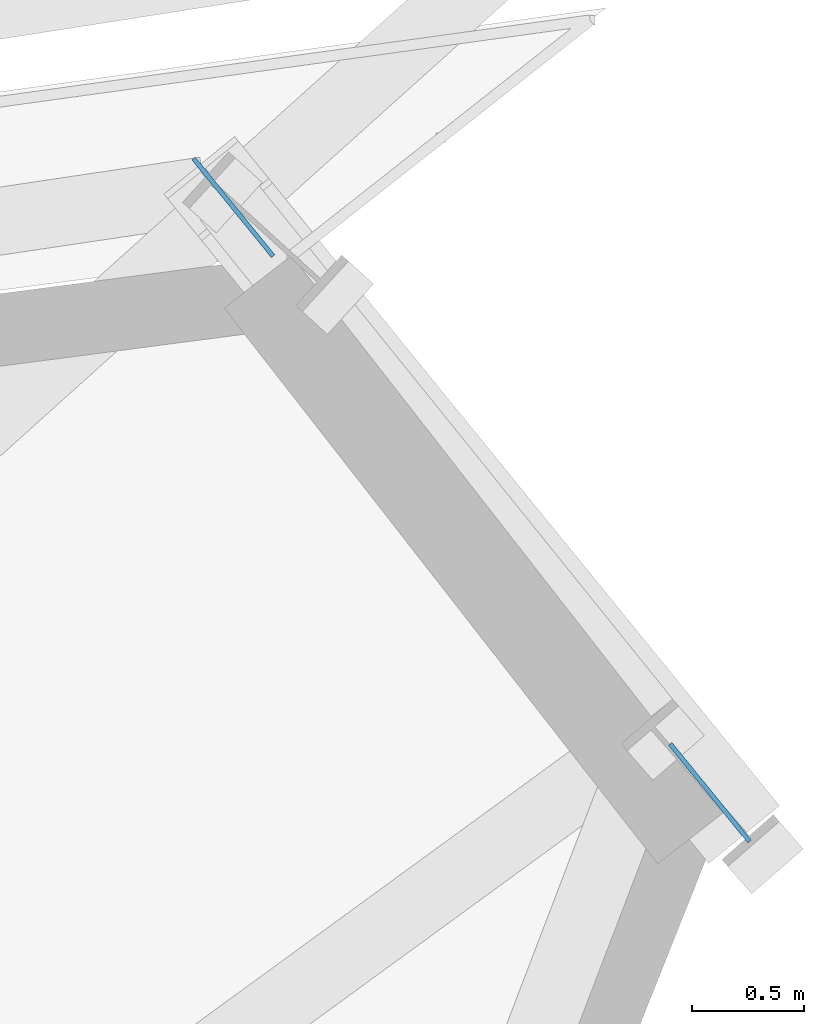
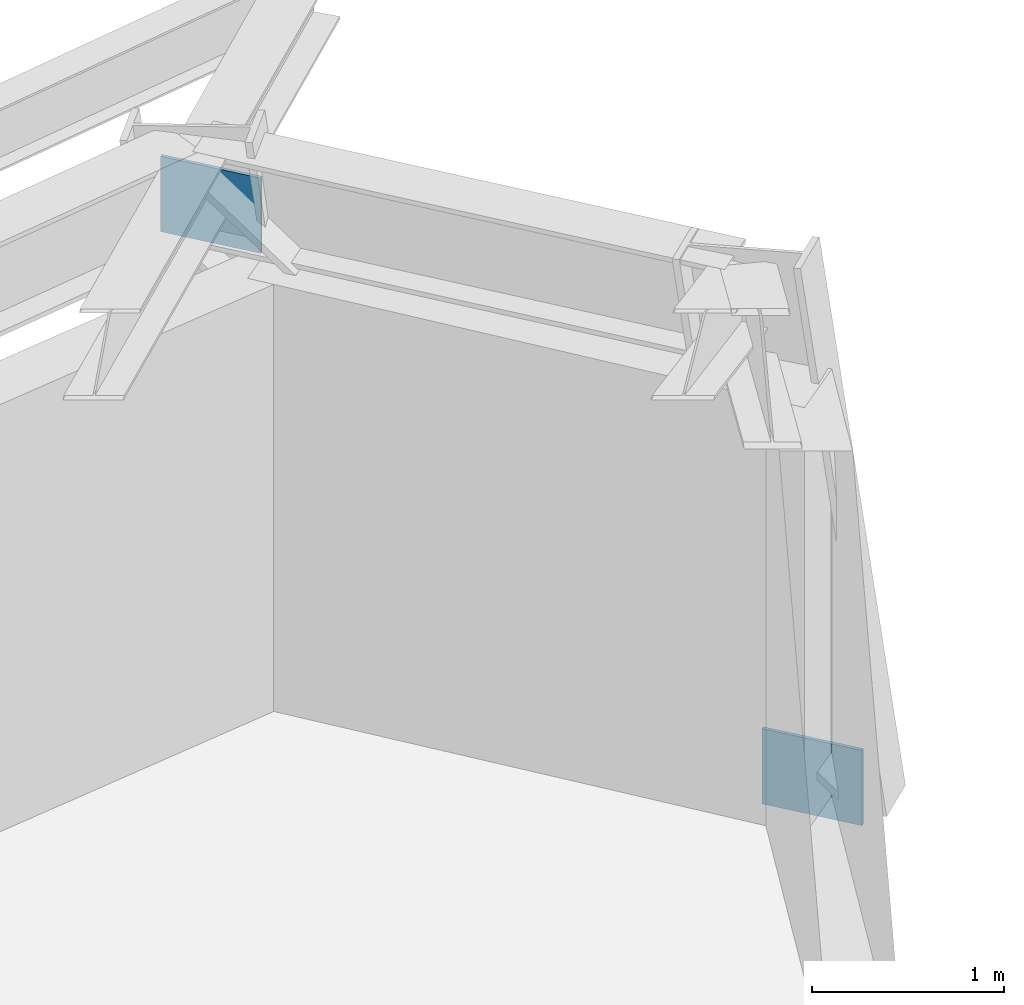
# One storey, part 6 of 13: 2 plates.
"""IFC4 building model written with IfcOpenShell, lengths in metres."""

import ifcopenshell
import ifcopenshell.guid

model = None  # the IFC model being written
_history = None  # IfcOwnerHistory: only IFC2X3 demands one
_inside = {}  # id of a spatial element -> (the spatial element, [elements in it])
_under = {}  # id of a project, library or spatial element -> (it, [spatial elements below it])
_declared = {}  # id of a project -> (the project, [libraries it declares])
_typed = {}  # id of a type object -> (the type object, [elements of that type])
_made_of = {}  # id of a material, layer set ... -> (it, [elements and type objects made of it])


def new_model(schema):
    """Start an empty IFC model of exactly this schema.

    Asked for "IFC4X3", IfcOpenShell would pick the latest addendum, in which some entities
    have other attributes; the version numbers below select the first issue.
    IFC2X3 requires an IfcOwnerHistory on every rooted entity: one is made here for all.
    """
    global model, _history
    if schema == "IFC4X3":
        model = ifcopenshell.file(schema_version=(4, 3, 0, 0))
    else:
        model = ifcopenshell.file(schema=schema)
    _inside.clear()
    _under.clear()
    _declared.clear()
    _typed.clear()
    _made_of.clear()
    _history = None
    if model.schema == "IFC2X3":
        org = make("IfcOrganization", Name="unknown")
        user = make(
            "IfcPersonAndOrganization",
            ThePerson=make("IfcPerson", FamilyName="unknown"),
            TheOrganization=org,
        )
        app = make(
            "IfcApplication",
            ApplicationDeveloper=org,
            Version="unknown",
            ApplicationFullName="unknown",
            ApplicationIdentifier="unknown",
        )
        _history = make(
            "IfcOwnerHistory",
            OwningUser=user,
            OwningApplication=app,
            ChangeAction="ADDED",
            CreationDate=0,
        )
    return model


def make(cls, **values):
    """One entity of the class cls with the attributes given. An attribute that is None is left unset."""
    return model.create_entity(
        cls, **{name: value for name, value in values.items() if value is not None}
    )


def rooted(cls, **values):
    """An entity with a GlobalId (a new one), such as an element, a storey or a relation."""
    return make(cls, GlobalId=ifcopenshell.guid.new(), OwnerHistory=_history, **values)


def si_unit(unit_type, name, prefix=None):
    """IfcSIUnit, for example si_unit("LENGTHUNIT", "METRE", prefix="MILLI")."""
    return make("IfcSIUnit", UnitType=unit_type, Prefix=prefix, Name=name)


def assignment(units):
    """IfcUnitAssignment: the units of a project."""
    return None if units is None else make("IfcUnitAssignment", Units=units)


def point(xyz):
    """IfcCartesianPoint."""
    return None if xyz is None else make("IfcCartesianPoint", Coordinates=xyz)


def direction(xyz):
    """IfcDirection."""
    return None if xyz is None else make("IfcDirection", DirectionRatios=xyz)


def frame(location, z_axis=None, x_axis=None):
    """IfcAxis2Placement3D, a coordinate frame: its origin and axes. An axis left out is left unset."""
    return make(
        "IfcAxis2Placement3D",
        Location=point(location),
        Axis=direction(z_axis),
        RefDirection=direction(x_axis),
    )


def frame_2d(location, x_axis=None):
    """IfcAxis2Placement2D, a coordinate frame in the plane: its origin and x axis."""
    return make(
        "IfcAxis2Placement2D", Location=point(location), RefDirection=direction(x_axis)
    )


def origin():
    """The frame at (0, 0, 0) with its axes left unset."""
    return frame((0.0, 0.0, 0.0))


def origin_2d():
    """The frame at (0, 0) in the plane with its x axis left unset."""
    return frame_2d((0.0, 0.0))


def place(relative_to, where):
    """IfcLocalPlacement: puts the frame where relative to a parent placement (None: the world)."""
    return make(
        "IfcLocalPlacement", PlacementRelTo=relative_to, RelativePlacement=where
    )


def context(
    kind, dimensions, precision=None, world=None, true_north=None, identifier=None
):
    """IfcGeometricRepresentationContext, for example the 3D "Model" context."""
    return make(
        "IfcGeometricRepresentationContext",
        ContextIdentifier=identifier,
        ContextType=kind,
        CoordinateSpaceDimension=dimensions,
        Precision=precision,
        WorldCoordinateSystem=world,
        TrueNorth=true_north,
    )


def subcontext(parent, identifier, kind, view, scale=None):
    """IfcGeometricRepresentationSubContext, for example "Body" below "Model"."""
    return make(
        "IfcGeometricRepresentationSubContext",
        ContextIdentifier=identifier,
        ContextType=kind,
        ParentContext=parent,
        TargetScale=scale,
        TargetView=view,
    )


def project(units=None, contexts=None):
    """IfcProject with its units and contexts."""
    return rooted(
        "IfcProject",
        Name="project",
        RepresentationContexts=contexts,
        UnitsInContext=assignment(units),
    )


def spatial(cls, under=None, at=None, **own):
    """A site, building, storey or space (cls), placed at a placement, below another one or the project."""
    s = rooted(cls, ObjectPlacement=at, **own)
    if under is not None:
        _under.setdefault(under.id(), (under, []))[1].append(s)
    return s


def profile(cls, at=None, kind="AREA", **sizes):
    """A parametric profile (cls). Its sizes go by their IFC names, for example OverallWidth=200.0."""
    return make(cls, ProfileType=kind, Position=at, **sizes)


def rectangle(**sizes):
    """IfcRectangleProfileDef."""
    return profile("IfcRectangleProfileDef", **sizes)


def extrude(swept, where, along, depth):
    """IfcExtrudedAreaSolid: the profile swept, set in the frame where, extruded along a direction by depth."""
    return make(
        "IfcExtrudedAreaSolid",
        SweptArea=swept,
        Position=where,
        ExtrudedDirection=direction(along),
        Depth=depth,
    )


def shape(context_of_items, identifier, shape_type, items):
    """IfcShapeRepresentation: the items that make up one representation, for example the "Body"."""
    return make(
        "IfcShapeRepresentation",
        ContextOfItems=context_of_items,
        RepresentationIdentifier=identifier,
        RepresentationType=shape_type,
        Items=items,
    )


def source(mapping_origin, context_of_items, identifier, shape_type, items):
    """IfcRepresentationMap: a shape defined once, which mapped items show again and again."""
    return make(
        "IfcRepresentationMap",
        MappingOrigin=mapping_origin,
        MappedRepresentation=shape(context_of_items, identifier, shape_type, items),
    )


def transform(
    local_origin,
    x_axis=None,
    y_axis=None,
    z_axis=None,
    scale=None,
    scale2=None,
    scale3=None,
    uniform=True,
):
    """IfcCartesianTransformationOperator3D, or its non-uniform kind. x_axis, y_axis, z_axis: its Axis1, 2, 3."""
    if uniform:
        return make(
            "IfcCartesianTransformationOperator3D",
            Axis1=direction(x_axis),
            Axis2=direction(y_axis),
            LocalOrigin=point(local_origin),
            Scale=scale,
            Axis3=direction(z_axis),
        )
    return make(
        "IfcCartesianTransformationOperator3DnonUniform",
        Axis1=direction(x_axis),
        Axis2=direction(y_axis),
        LocalOrigin=point(local_origin),
        Scale=scale,
        Axis3=direction(z_axis),
        Scale2=scale2,
        Scale3=scale3,
    )


def mapped(mapping_source, mapping_target):
    """IfcMappedItem: shows the shape of a source again, moved by a transform."""
    return make(
        "IfcMappedItem", MappingSource=mapping_source, MappingTarget=mapping_target
    )


def material(Name=None, Category=None):
    """IfcMaterial."""
    return make("IfcMaterial", Name=Name, Category=Category)


def made_of(thing, what):
    """Note that an element or type object is made of a material, layer set ...; save() writes the relation."""
    if what is not None:
        _made_of.setdefault(what.id(), (what, []))[1].append(thing)
    return thing


def type_object(cls, material=None, **own):
    """A type object (cls), such as IfcWallType, which elements share."""
    return made_of(rooted(cls, **own), material)


def element(
    cls,
    number,
    at=None,
    inside=None,
    cuts=None,
    type_object=None,
    material=None,
    context=None,
    identifier="Body",
    shape_type=None,
    held_by="IfcProductDefinitionShape",
    body=None,
    shapes=None,
    **own,
):
    """One element of the class cls, such as IfcWall. Its Tag is "e" and its number.

    at: its placement. inside: the storey or other place that contains it. cuts: it is an
    opening in that element (IfcRelVoidsElement). A single representation is given by context,
    identifier, shape_type and body (its items); several are given by shapes. held_by: the class
    of the entity that holds the representations. save() writes the other relations.
    """
    e = rooted(cls, Tag="e%d" % number, ObjectPlacement=at, **own)
    if body is not None:
        shapes = [shape(context, identifier, shape_type, body)]
    if shapes is not None:
        e.Representation = make(held_by, Representations=shapes)
    if inside is not None:
        _inside.setdefault(inside.id(), (inside, []))[1].append(e)
    if cuts is not None:
        rooted(
            "IfcRelVoidsElement", RelatingBuildingElement=cuts, RelatedOpeningElement=e
        )
    if type_object is not None:
        _typed.setdefault(type_object.id(), (type_object, []))[1].append(e)
    return made_of(e, material)


def aggregate(whole, parts):
    """IfcRelAggregates: a whole, such as a stair, and the parts it consists of."""
    return rooted("IfcRelAggregates", RelatingObject=whole, RelatedObjects=parts)


def save(model, path):
    """Write the relations noted so far, then the file.

    IfcRelAggregates (storeys below a building ...), IfcRelContainedInSpatialStructure (elements
    in a storey), IfcRelDefinesByType, IfcRelAssociatesMaterial and IfcRelDeclares: one each for
    every whole, place, type object, material and project.
    """
    for whole, parts in _under.values():
        aggregate(whole, parts)
    for where, things in _inside.values():
        rooted(
            "IfcRelContainedInSpatialStructure",
            RelatedElements=things,
            RelatingStructure=where,
        )
    for kind, things in _typed.values():
        rooted("IfcRelDefinesByType", RelatedObjects=things, RelatingType=kind)
    for what, things in _made_of.values():
        rooted("IfcRelAssociatesMaterial", RelatedObjects=things, RelatingMaterial=what)
    for by, libraries in _declared.values():
        rooted("IfcRelDeclares", RelatingContext=by, RelatedDefinitions=libraries)
    model.write(path)


model = new_model("IFC4")

# Units and contexts
model_context = context("Model", 3, precision=1e-05, world=origin(), true_north=direction((0.0, 1.0)))
body_context = subcontext(model_context, "Body", "Model", "MODEL_VIEW")
ifc_project = project(units=[si_unit("LENGTHUNIT", "METRE"), si_unit("AREAUNIT", "SQUARE_METRE"), si_unit("VOLUMEUNIT", "CUBIC_METRE"), si_unit("PLANEANGLEUNIT", "RADIAN"), si_unit("MASSUNIT", "GRAM", prefix="KILO")], contexts=[model_context])

# Site, building, storey
site_placement = place(None, origin())
site = spatial("IfcSite", under=ifc_project, at=site_placement, CompositionType="ELEMENT")
building_placement = place(site_placement, origin())
building = spatial("IfcBuilding", under=site, at=building_placement, Name="Olszyna Solenne Hotel", CompositionType="ELEMENT")
storey_placement = place(building_placement, frame((0.0, 0.0, 189.199951171875)))
storey = spatial("IfcBuildingStorey", under=building, at=storey_placement, Name="L50", CompositionType="ELEMENT", Elevation=189.199951171875)

# Plates
ifc_material = material(Name="Steel S355J2", Category="steel")
plate_type = type_object("IfcPlateType", Name="GP-ND2", PredefinedType="USERDEFINED", material=ifc_material)
shared_shape = source(origin(), body_context, "Body", "SweptSolid", [
    extrude(rectangle(XDim=0.56005859375, YDim=0.02001953125, at=origin_2d()), origin(), (0.0, 0.0, 1.0), 0.47998046875),
])
for number, where, z_axis, x_axis, name in (
    (1, (61.704345703125, 43.428955078125, -0.14013671875), (0.0, 0.0, 1.0), (-0.631352795449, 0.775495743172, 0.0), "Brace end connection gusset plate GP-ND2 EP-BR-L50-1-1"),
    (2, (59.58349609375, 46.0341796875, 2.670166015625), (0.0, 0.0, 1.0), (-0.631352795449, 0.775495743172, 0.0), "Brace end connection gusset plate GP-ND2 EP-BR-L50-1-2"),
):
    element("IfcPlate", number, at=place(storey_placement, frame(where, z_axis=z_axis, x_axis=x_axis)), inside=storey, type_object=plate_type, Name=name, ObjectType="GUSSET_PLATE", PredefinedType="USERDEFINED", context=body_context, shape_type="MappedRepresentation", body=[
        mapped(shared_shape, transform((0.0, 0.0, 0.0), x_axis=(1.0, 0.0, 0.0), y_axis=(0.0, 1.0, 0.0), z_axis=(0.0, 0.0, 1.0), scale=1.0)),
    ])

save(model, "model.ifc")
